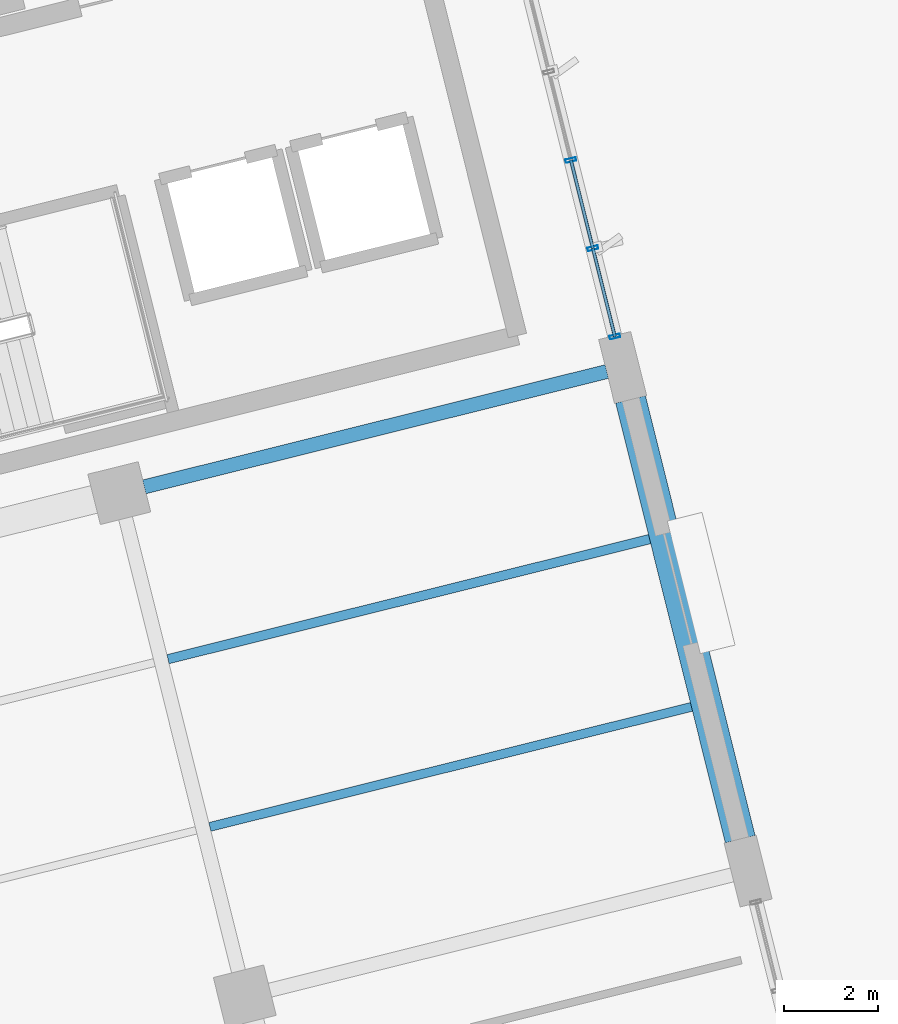
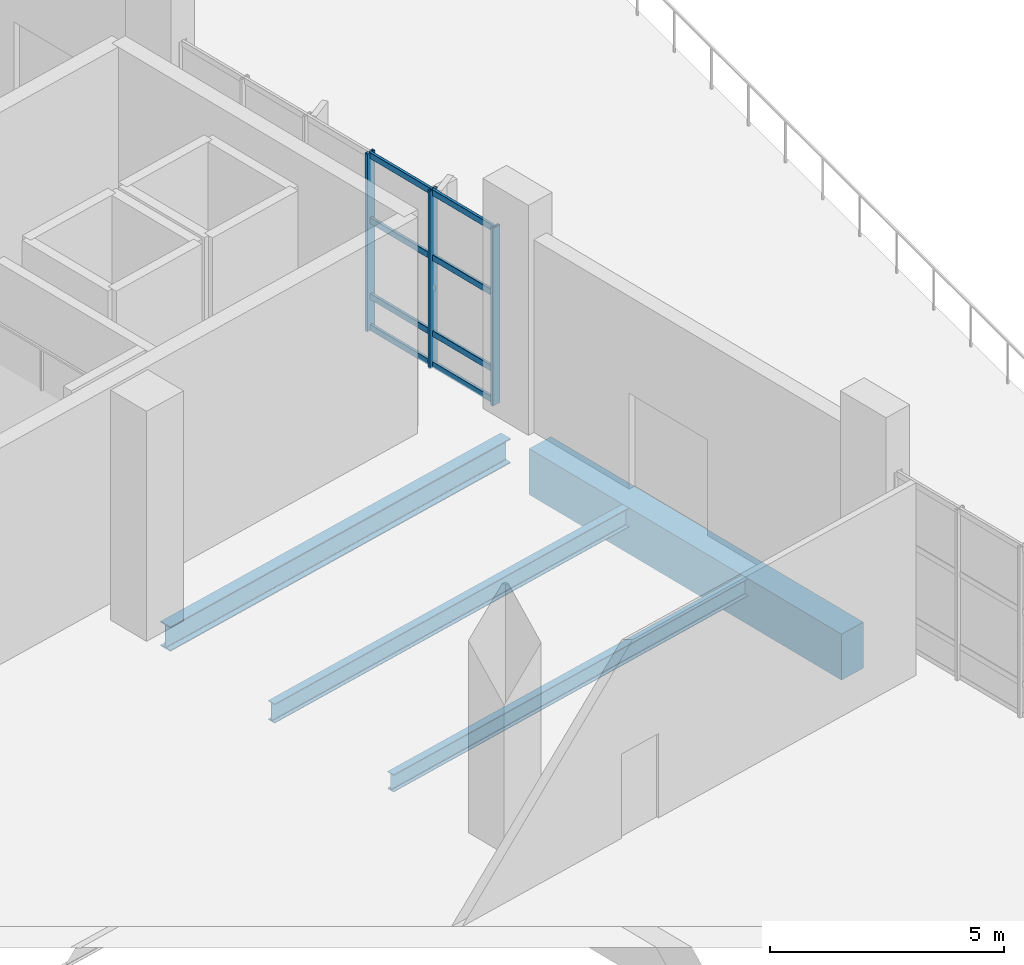
# One storey, part 90 of 163: 11 members, 4 beams, 1 element without a shape of its own.
"""IFC4 building model written with IfcOpenShell, lengths in metres."""

from ifc_helpers import new_model, si_unit, direction, frame, origin, origin_2d, place, context, subcontext, project, spatial, rectangle, hollow_rectangle, i_section, extrude, material, layer, layer_set, material_profile, profile_set, type_object, element, aggregate, save


model = new_model("IFC4")

# Units and contexts
model_context = context("Model", 3, precision=1e-05, world=origin(), true_north=direction((0.0, 1.0)))
body_context = subcontext(model_context, "Body", "Model", "MODEL_VIEW")
ifc_project = project(units=[si_unit("LENGTHUNIT", "METRE"), si_unit("AREAUNIT", "SQUARE_METRE"), si_unit("VOLUMEUNIT", "CUBIC_METRE"), si_unit("PLANEANGLEUNIT", "RADIAN"), si_unit("MASSUNIT", "GRAM", prefix="KILO")], contexts=[model_context])

# Site, building, storey
site_placement = place(None, origin())
site = spatial("IfcSite", under=ifc_project, at=site_placement, CompositionType="ELEMENT")
building_placement = place(site_placement, origin())
building = spatial("IfcBuilding", under=site, at=building_placement, Name="Khorjan Park Terminus", CompositionType="ELEMENT")
storey_placement = place(building_placement, origin())
storey = spatial("IfcBuildingStorey", under=building, at=storey_placement, Name="L00", CompositionType="ELEMENT", Elevation=0.0)

# Beams
ifc_material_1 = material(Name="Steel S355", Category="steel")
ifc_material_profile_1 = material_profile(ifc_material_1, i_section(OverallWidth=0.3, OverallDepth=0.64, WebThickness=0.0135, FlangeThickness=0.026, FilletRadius=0.027, at=origin_2d()), Name="HEA 650")
ifc_profile_set_1 = profile_set([ifc_material_profile_1], Name="Steel S355")
beam_type_1 = type_object("IfcBeamType", Name="BM-HEA650", PredefinedType="BEAM", material=ifc_profile_set_1)
beam_1_placement = place(storey_placement, frame((214.5728, 36.7841, -0.68), z_axis=(0.970296490369, 0.241918830968, 0.0), x_axis=(-0.241918830968, 0.970296490369, 0.0)))
element("IfcBeam", 1, at=beam_1_placement, inside=storey, type_object=beam_type_1, Name="Primary skew-grid floor girder SB-A65 (L00)", PredefinedType="BEAM", context=body_context, shape_type="SweptSolid", body=[
    extrude(i_section(OverallWidth=0.3, OverallDepth=0.64, WebThickness=0.0135, FlangeThickness=0.026, FilletRadius=0.027, at=origin_2d()), origin(), (0.0, 0.0, 1.0), 10.11),
])
ifc_material_2 = material(Name="Concrete C40/50", Category="concrete")
ifc_material_profile_2 = material_profile(ifc_material_2, rectangle(XDim=0.65, YDim=1.2, at=origin_2d()), Name="RC 650x1200")
ifc_profile_set_2 = profile_set([ifc_material_profile_2], Name="Concrete C40/50")
beam_type_2 = type_object("IfcBeamType", Name="BM-RC650x1200", PredefinedType="BEAM", material=ifc_profile_set_2)
beam_2_placement = place(storey_placement, frame((227.2102, 29.3145, -0.96), z_axis=(-0.241916119113, 0.970297166498, 0.0), x_axis=(-0.970297166498, -0.241916119113, 0.0)))
element("IfcBeam", 2, at=beam_2_placement, inside=storey, type_object=beam_type_2, Name="Primary skew-grid floor girder GB-12 (L00)", PredefinedType="BEAM", context=body_context, shape_type="SweptSolid", body=[
    extrude(rectangle(XDim=0.65, YDim=1.2, at=origin_2d()), origin(), (0.0, 0.0, 1.0), 9.6099),
])
ifc_material_profile_3 = material_profile(ifc_material_1, i_section(OverallWidth=0.19, OverallDepth=0.45, WebThickness=0.0094, FlangeThickness=0.0146, FilletRadius=0.021, at=origin_2d()), Name="IPE 450")
ifc_profile_set_3 = profile_set([ifc_material_profile_3], Name="Steel S355")
beam_type_3 = type_object("IfcBeamType", Name="JS-IPE450", PredefinedType="JOIST", material=ifc_profile_set_3)
beam_3_placement = place(storey_placement, frame((215.9636, 29.573, -0.585), z_axis=(0.970294327804, 0.241927504493, 0.0), x_axis=(-0.241927504493, 0.970294327804, 0.0)))
element("IfcBeam", 3, at=beam_3_placement, inside=storey, type_object=beam_type_3, Name="Secondary composite floor joist SJ-45 (L00)", PredefinedType="JOIST", context=body_context, shape_type="SweptSolid", body=[
    extrude(i_section(OverallWidth=0.19, OverallDepth=0.45, WebThickness=0.0094, FlangeThickness=0.0146, FilletRadius=0.021, at=origin_2d()), origin(), (0.0, 0.0, 1.0), 10.5251),
])
ifc_material_profile_4 = material_profile(ifc_material_1, i_section(OverallWidth=0.2, OverallDepth=0.5, WebThickness=0.0102, FlangeThickness=0.016, FilletRadius=0.021, at=origin_2d()), Name="IPE 500")
ifc_profile_set_4 = profile_set([ifc_material_profile_4], Name="Steel S355")
beam_type_4 = type_object("IfcBeamType", Name="JS-IPE500", PredefinedType="JOIST", material=ifc_profile_set_4)
beam_4_placement = place(storey_placement, frame((215.0766, 33.1307, -0.61), z_axis=(0.970296002015, 0.241920789668, 0.0), x_axis=(-0.241920789668, 0.970296002015, 0.0)))
element("IfcBeam", 4, at=beam_4_placement, inside=storey, type_object=beam_type_4, Name="Secondary composite floor joist SJ-50 (L00)", PredefinedType="JOIST", context=body_context, shape_type="SweptSolid", body=[
    extrude(i_section(OverallWidth=0.2, OverallDepth=0.5, WebThickness=0.0102, FlangeThickness=0.016, FilletRadius=0.021, at=origin_2d()), origin(), (0.0, 0.0, 1.0), 10.5249),
])

# Curtain wall, members
ifc_material_3 = material(Name="Anodized Bronze Aluminium", Category="aluminium")
ifc_layer = layer(ifc_material_3, 0.22)
ifc_layer_set = layer_set([ifc_layer], Name="Anodized Bronze Aluminium")
curtain_wall_type = type_object("IfcCurtainWallType", Name="CW-OPS-B", PredefinedType="NOTDEFINED", material=ifc_layer_set)
curtain_wall_placement = place(storey_placement, origin())
curtain_wall = element("IfcCurtainWall", 5, at=curtain_wall_placement, inside=storey, type_object=curtain_wall_type, Name="Unitized curtain wall CW-B (CW-V5-E-L00-B03)", PredefinedType="NOTDEFINED")
ifc_material_profile_5 = material_profile(ifc_material_3, hollow_rectangle(XDim=0.075, YDim=0.225, WallThickness=0.005, InnerFilletRadius=0.005, OuterFilletRadius=0.01, at=origin_2d()), Name="ALM 75x225x5")
ifc_profile_set_5 = profile_set([ifc_material_profile_5], Name="Anodized Bronze Aluminium")
member_type_1 = type_object("IfcMemberType", Name="ML-ALM-225", PredefinedType="MULLION", material=ifc_profile_set_5)
member_1_placement = place(storey_placement, frame((224.5528, 39.9729, -0.035), z_axis=(0.0, 0.0, 1.0), x_axis=(-0.241922975976, 0.970295456907, 0.0)))
member_1 = element("IfcMember", 6, at=member_1_placement, type_object=member_type_1, Name="Curtain-wall mullion ML-22 (CW-V5-E-L00-B03-0)", PredefinedType="MULLION", context=body_context, shape_type="SweptSolid", body=[
    extrude(hollow_rectangle(XDim=0.075, YDim=0.225, WallThickness=0.005, InnerFilletRadius=0.005, OuterFilletRadius=0.01, at=origin_2d()), origin(), (0.0, 0.0, 1.0), 4.635),
])
member_2_placement = place(storey_placement, frame((224.0863, 41.8438, -0.035), z_axis=(0.0, 0.0, 1.0), x_axis=(-0.241922975976, 0.970295456907, 0.0)))
member_2 = element("IfcMember", 7, at=member_2_placement, type_object=member_type_1, Name="Curtain-wall mullion ML-22 (CW-V5-E-L00-B03-1)", PredefinedType="MULLION", context=body_context, shape_type="SweptSolid", body=[
    extrude(hollow_rectangle(XDim=0.075, YDim=0.225, WallThickness=0.005, InnerFilletRadius=0.005, OuterFilletRadius=0.01, at=origin_2d()), origin(), (0.0, 0.0, 1.0), 4.635),
])
member_3_placement = place(storey_placement, frame((223.6199, 43.7146, -0.035), z_axis=(0.0, 0.0, 1.0), x_axis=(-0.241922975976, 0.970295456907, 0.0)))
member_3 = element("IfcMember", 8, at=member_3_placement, type_object=member_type_1, Name="Curtain-wall mullion ML-22 (CW-V5-E-L00-B03-2)", PredefinedType="MULLION", context=body_context, shape_type="SweptSolid", body=[
    extrude(hollow_rectangle(XDim=0.075, YDim=0.225, WallThickness=0.005, InnerFilletRadius=0.005, OuterFilletRadius=0.01, at=origin_2d()), origin(), (0.0, 0.0, 1.0), 4.635),
])
ifc_material_profile_6 = material_profile(ifc_material_3, hollow_rectangle(XDim=0.07, YDim=0.16, WallThickness=0.004, InnerFilletRadius=0.004, OuterFilletRadius=0.008, at=origin_2d()), Name="ALT 70x160x4")
ifc_profile_set_6 = profile_set([ifc_material_profile_6], Name="Anodized Bronze Aluminium")
member_type_2 = type_object("IfcMemberType", Name="TR-ALT-160", PredefinedType="USERDEFINED", material=ifc_profile_set_6)
member_4_placement = place(storey_placement, frame((224.5528, 39.9729, 0.04), z_axis=(-0.241937637138, 0.970291801334, 0.0), x_axis=(-0.970291801334, -0.241937637138, 0.0)))
member_4 = element("IfcMember", 9, at=member_4_placement, type_object=member_type_2, Name="Curtain-wall transom TR-16 (CW-V5-E-L00-B03-0-1)", ObjectType="TRANSOM", PredefinedType="USERDEFINED", context=body_context, shape_type="SweptSolid", body=[
    extrude(hollow_rectangle(XDim=0.07, YDim=0.16, WallThickness=0.004, InnerFilletRadius=0.004, OuterFilletRadius=0.008, at=origin_2d()), origin(), (0.0, 0.0, 1.0), 1.9282),
])
member_5_placement = place(storey_placement, frame((224.5528, 39.9729, 0.85), z_axis=(-0.241937637138, 0.970291801334, 0.0), x_axis=(-0.970291801334, -0.241937637138, 0.0)))
member_5 = element("IfcMember", 10, at=member_5_placement, type_object=member_type_2, Name="Curtain-wall transom TR-16 (CW-V5-E-L00-B03-0-2)", ObjectType="TRANSOM", PredefinedType="USERDEFINED", context=body_context, shape_type="SweptSolid", body=[
    extrude(hollow_rectangle(XDim=0.07, YDim=0.16, WallThickness=0.004, InnerFilletRadius=0.004, OuterFilletRadius=0.008, at=origin_2d()), origin(), (0.0, 0.0, 1.0), 1.9282),
])
member_6_placement = place(storey_placement, frame((224.5528, 39.9729, 2.8303), z_axis=(-0.241937637138, 0.970291801334, 0.0), x_axis=(-0.970291801334, -0.241937637138, 0.0)))
member_6 = element("IfcMember", 11, at=member_6_placement, type_object=member_type_2, Name="Curtain-wall transom TR-16 (CW-V5-E-L00-B03-0-3)", ObjectType="TRANSOM", PredefinedType="USERDEFINED", context=body_context, shape_type="SweptSolid", body=[
    extrude(hollow_rectangle(XDim=0.07, YDim=0.16, WallThickness=0.004, InnerFilletRadius=0.004, OuterFilletRadius=0.008, at=origin_2d()), origin(), (0.0, 0.0, 1.0), 1.9282),
])
member_7_placement = place(storey_placement, frame((224.5528, 39.9729, 4.525), z_axis=(-0.241937637138, 0.970291801334, 0.0), x_axis=(-0.970291801334, -0.241937637138, 0.0)))
member_7 = element("IfcMember", 12, at=member_7_placement, type_object=member_type_2, Name="Curtain-wall transom TR-16 (CW-V5-E-L00-B03-0-4)", ObjectType="TRANSOM", PredefinedType="USERDEFINED", context=body_context, shape_type="SweptSolid", body=[
    extrude(hollow_rectangle(XDim=0.07, YDim=0.16, WallThickness=0.004, InnerFilletRadius=0.004, OuterFilletRadius=0.008, at=origin_2d()), origin(), (0.0, 0.0, 1.0), 1.9282),
])
member_8_placement = place(storey_placement, frame((224.0863, 41.8438, 0.04), z_axis=(-0.241900982739, 0.970300940198, 0.0), x_axis=(-0.970300940198, -0.241900982739, 0.0)))
member_8 = element("IfcMember", 13, at=member_8_placement, type_object=member_type_2, Name="Curtain-wall transom TR-16 (CW-V5-E-L00-B03-1-1)", ObjectType="TRANSOM", PredefinedType="USERDEFINED", context=body_context, shape_type="SweptSolid", body=[
    extrude(hollow_rectangle(XDim=0.07, YDim=0.16, WallThickness=0.004, InnerFilletRadius=0.004, OuterFilletRadius=0.008, at=origin_2d()), origin(), (0.0, 0.0, 1.0), 1.9281),
])
member_9_placement = place(storey_placement, frame((224.0863, 41.8438, 0.85), z_axis=(-0.241900982739, 0.970300940198, 0.0), x_axis=(-0.970300940198, -0.241900982739, 0.0)))
member_9 = element("IfcMember", 14, at=member_9_placement, type_object=member_type_2, Name="Curtain-wall transom TR-16 (CW-V5-E-L00-B03-1-2)", ObjectType="TRANSOM", PredefinedType="USERDEFINED", context=body_context, shape_type="SweptSolid", body=[
    extrude(hollow_rectangle(XDim=0.07, YDim=0.16, WallThickness=0.004, InnerFilletRadius=0.004, OuterFilletRadius=0.008, at=origin_2d()), origin(), (0.0, 0.0, 1.0), 1.9281),
])
member_10_placement = place(storey_placement, frame((224.0863, 41.8438, 2.8303), z_axis=(-0.241900982739, 0.970300940198, 0.0), x_axis=(-0.970300940198, -0.241900982739, 0.0)))
member_10 = element("IfcMember", 15, at=member_10_placement, type_object=member_type_2, Name="Curtain-wall transom TR-16 (CW-V5-E-L00-B03-1-3)", ObjectType="TRANSOM", PredefinedType="USERDEFINED", context=body_context, shape_type="SweptSolid", body=[
    extrude(hollow_rectangle(XDim=0.07, YDim=0.16, WallThickness=0.004, InnerFilletRadius=0.004, OuterFilletRadius=0.008, at=origin_2d()), origin(), (0.0, 0.0, 1.0), 1.9281),
])
member_11_placement = place(storey_placement, frame((224.0863, 41.8438, 4.525), z_axis=(-0.241900982739, 0.970300940198, 0.0), x_axis=(-0.970300940198, -0.241900982739, 0.0)))
member_11 = element("IfcMember", 16, at=member_11_placement, type_object=member_type_2, Name="Curtain-wall transom TR-16 (CW-V5-E-L00-B03-1-4)", ObjectType="TRANSOM", PredefinedType="USERDEFINED", context=body_context, shape_type="SweptSolid", body=[
    extrude(hollow_rectangle(XDim=0.07, YDim=0.16, WallThickness=0.004, InnerFilletRadius=0.004, OuterFilletRadius=0.008, at=origin_2d()), origin(), (0.0, 0.0, 1.0), 1.9281),
])
aggregate(curtain_wall, [member_1, member_2, member_3, member_4, member_5, member_6, member_7, member_8, member_9, member_10, member_11])

save(model, "model.ifc")
